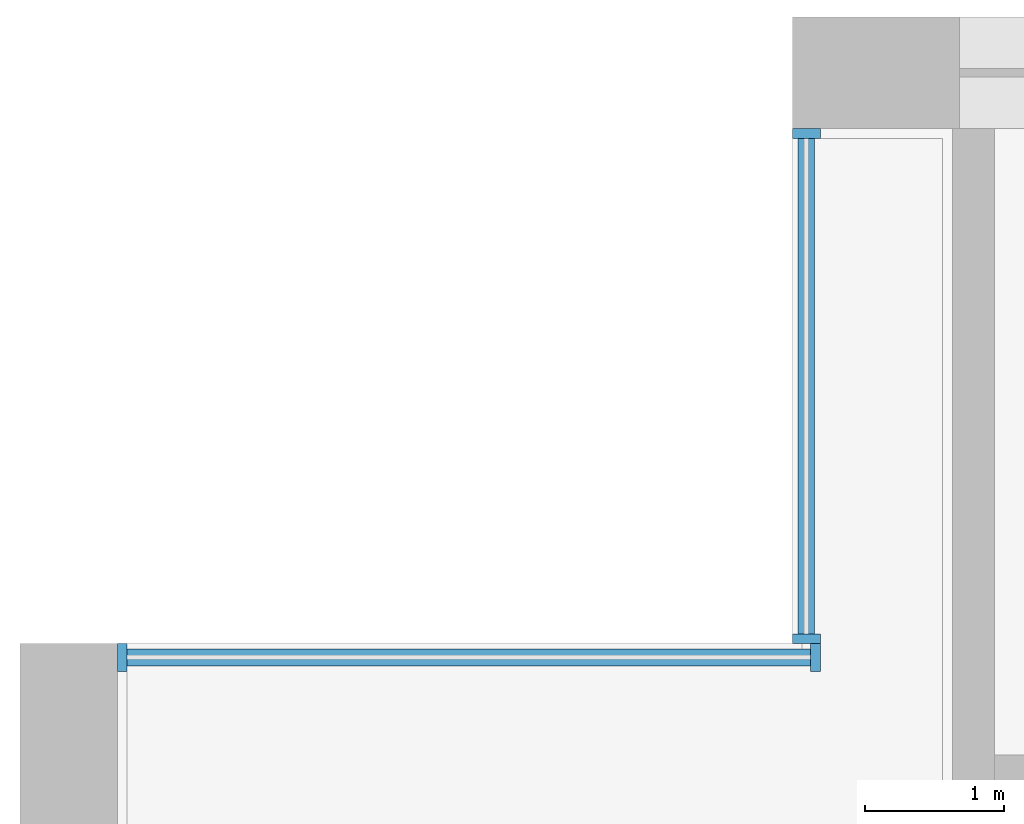
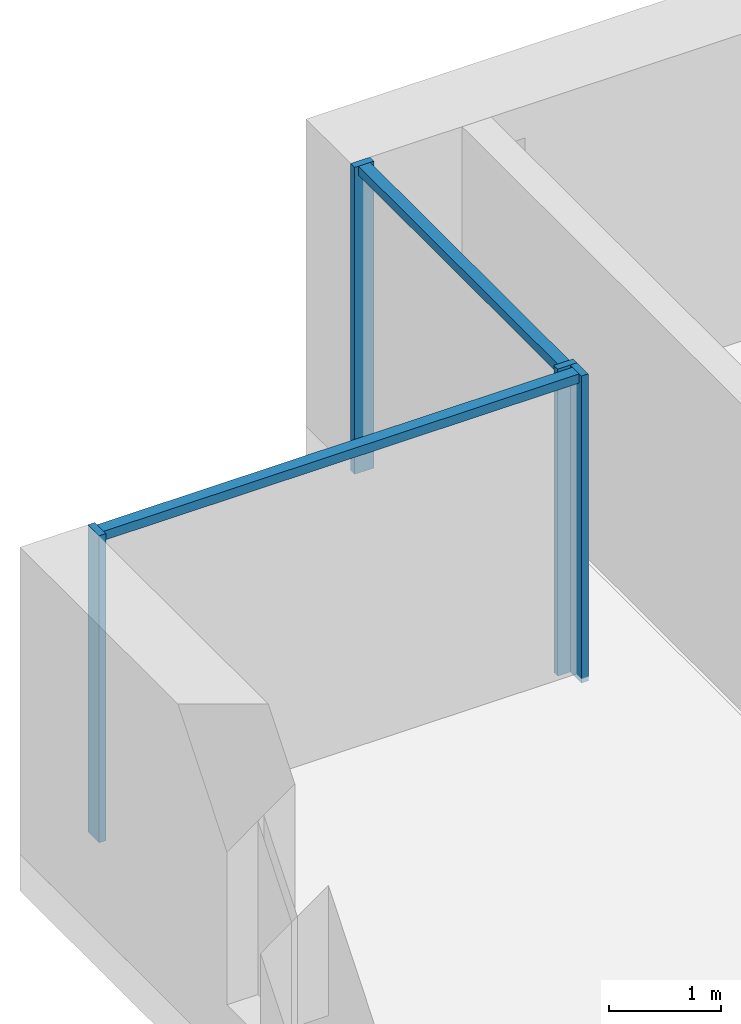
# One storey, part 4 of 15: 6 members, 2 elements without a shape of their own.
"""IFC4 building model written with IfcOpenShell, lengths in metres."""

import ifcopenshell
import ifcopenshell.guid

model = None  # the IFC model being written
_history = None  # IfcOwnerHistory: only IFC2X3 demands one
_inside = {}  # id of a spatial element -> (the spatial element, [elements in it])
_under = {}  # id of a project, library or spatial element -> (it, [spatial elements below it])
_declared = {}  # id of a project -> (the project, [libraries it declares])
_typed = {}  # id of a type object -> (the type object, [elements of that type])
_made_of = {}  # id of a material, layer set ... -> (it, [elements and type objects made of it])


def new_model(schema):
    """Start an empty IFC model of exactly this schema.

    Asked for "IFC4X3", IfcOpenShell would pick the latest addendum, in which some entities
    have other attributes; the version numbers below select the first issue.
    IFC2X3 requires an IfcOwnerHistory on every rooted entity: one is made here for all.
    """
    global model, _history
    if schema == "IFC4X3":
        model = ifcopenshell.file(schema_version=(4, 3, 0, 0))
    else:
        model = ifcopenshell.file(schema=schema)
    _inside.clear()
    _under.clear()
    _declared.clear()
    _typed.clear()
    _made_of.clear()
    _history = None
    if model.schema == "IFC2X3":
        org = make("IfcOrganization", Name="unknown")
        user = make(
            "IfcPersonAndOrganization",
            ThePerson=make("IfcPerson", FamilyName="unknown"),
            TheOrganization=org,
        )
        app = make(
            "IfcApplication",
            ApplicationDeveloper=org,
            Version="unknown",
            ApplicationFullName="unknown",
            ApplicationIdentifier="unknown",
        )
        _history = make(
            "IfcOwnerHistory",
            OwningUser=user,
            OwningApplication=app,
            ChangeAction="ADDED",
            CreationDate=0,
        )
    return model


def make(cls, **values):
    """One entity of the class cls with the attributes given. An attribute that is None is left unset."""
    return model.create_entity(
        cls, **{name: value for name, value in values.items() if value is not None}
    )


def rooted(cls, **values):
    """An entity with a GlobalId (a new one), such as an element, a storey or a relation."""
    return make(cls, GlobalId=ifcopenshell.guid.new(), OwnerHistory=_history, **values)


def si_unit(unit_type, name, prefix=None):
    """IfcSIUnit, for example si_unit("LENGTHUNIT", "METRE", prefix="MILLI")."""
    return make("IfcSIUnit", UnitType=unit_type, Prefix=prefix, Name=name)


def assignment(units):
    """IfcUnitAssignment: the units of a project."""
    return None if units is None else make("IfcUnitAssignment", Units=units)


def point(xyz):
    """IfcCartesianPoint."""
    return None if xyz is None else make("IfcCartesianPoint", Coordinates=xyz)


def direction(xyz):
    """IfcDirection."""
    return None if xyz is None else make("IfcDirection", DirectionRatios=xyz)


def frame(location, z_axis=None, x_axis=None):
    """IfcAxis2Placement3D, a coordinate frame: its origin and axes. An axis left out is left unset."""
    return make(
        "IfcAxis2Placement3D",
        Location=point(location),
        Axis=direction(z_axis),
        RefDirection=direction(x_axis),
    )


def frame_2d(location, x_axis=None):
    """IfcAxis2Placement2D, a coordinate frame in the plane: its origin and x axis."""
    return make(
        "IfcAxis2Placement2D", Location=point(location), RefDirection=direction(x_axis)
    )


def origin():
    """The frame at (0, 0, 0) with its axes left unset."""
    return frame((0.0, 0.0, 0.0))


def origin_2d():
    """The frame at (0, 0) in the plane with its x axis left unset."""
    return frame_2d((0.0, 0.0))


def place(relative_to, where):
    """IfcLocalPlacement: puts the frame where relative to a parent placement (None: the world)."""
    return make(
        "IfcLocalPlacement", PlacementRelTo=relative_to, RelativePlacement=where
    )


def context(
    kind, dimensions, precision=None, world=None, true_north=None, identifier=None
):
    """IfcGeometricRepresentationContext, for example the 3D "Model" context."""
    return make(
        "IfcGeometricRepresentationContext",
        ContextIdentifier=identifier,
        ContextType=kind,
        CoordinateSpaceDimension=dimensions,
        Precision=precision,
        WorldCoordinateSystem=world,
        TrueNorth=true_north,
    )


def subcontext(parent, identifier, kind, view, scale=None):
    """IfcGeometricRepresentationSubContext, for example "Body" below "Model"."""
    return make(
        "IfcGeometricRepresentationSubContext",
        ContextIdentifier=identifier,
        ContextType=kind,
        ParentContext=parent,
        TargetScale=scale,
        TargetView=view,
    )


def project(units=None, contexts=None):
    """IfcProject with its units and contexts."""
    return rooted(
        "IfcProject",
        Name="project",
        RepresentationContexts=contexts,
        UnitsInContext=assignment(units),
    )


def spatial(cls, under=None, at=None, **own):
    """A site, building, storey or space (cls), placed at a placement, below another one or the project."""
    s = rooted(cls, ObjectPlacement=at, **own)
    if under is not None:
        _under.setdefault(under.id(), (under, []))[1].append(s)
    return s


def profile(cls, at=None, kind="AREA", **sizes):
    """A parametric profile (cls). Its sizes go by their IFC names, for example OverallWidth=200.0."""
    return make(cls, ProfileType=kind, Position=at, **sizes)


def rectangle(**sizes):
    """IfcRectangleProfileDef."""
    return profile("IfcRectangleProfileDef", **sizes)


def extrude(swept, where, along, depth):
    """IfcExtrudedAreaSolid: the profile swept, set in the frame where, extruded along a direction by depth."""
    return make(
        "IfcExtrudedAreaSolid",
        SweptArea=swept,
        Position=where,
        ExtrudedDirection=direction(along),
        Depth=depth,
    )


def shape(context_of_items, identifier, shape_type, items):
    """IfcShapeRepresentation: the items that make up one representation, for example the "Body"."""
    return make(
        "IfcShapeRepresentation",
        ContextOfItems=context_of_items,
        RepresentationIdentifier=identifier,
        RepresentationType=shape_type,
        Items=items,
    )


def material(Name=None, Category=None):
    """IfcMaterial."""
    return make("IfcMaterial", Name=Name, Category=Category)


def material_profile(
    of_material, cross_section, Name=None, Category=None, Priority=None
):
    """IfcMaterialProfile: a cross section and its material."""
    return make(
        "IfcMaterialProfile",
        Name=Name,
        Material=of_material,
        Profile=cross_section,
        Priority=Priority,
        Category=Category,
    )


def profile_set(profiles, Name=None, composite=None):
    """IfcMaterialProfileSet."""
    return make(
        "IfcMaterialProfileSet",
        Name=Name,
        MaterialProfiles=profiles,
        CompositeProfile=composite,
    )


def made_of(thing, what):
    """Note that an element or type object is made of a material, layer set ...; save() writes the relation."""
    if what is not None:
        _made_of.setdefault(what.id(), (what, []))[1].append(thing)
    return thing


def type_object(cls, material=None, **own):
    """A type object (cls), such as IfcWallType, which elements share."""
    return made_of(rooted(cls, **own), material)


def element(
    cls,
    number,
    at=None,
    inside=None,
    cuts=None,
    type_object=None,
    material=None,
    context=None,
    identifier="Body",
    shape_type=None,
    held_by="IfcProductDefinitionShape",
    body=None,
    shapes=None,
    **own,
):
    """One element of the class cls, such as IfcWall. Its Tag is "e" and its number.

    at: its placement. inside: the storey or other place that contains it. cuts: it is an
    opening in that element (IfcRelVoidsElement). A single representation is given by context,
    identifier, shape_type and body (its items); several are given by shapes. held_by: the class
    of the entity that holds the representations. save() writes the other relations.
    """
    e = rooted(cls, Tag="e%d" % number, ObjectPlacement=at, **own)
    if body is not None:
        shapes = [shape(context, identifier, shape_type, body)]
    if shapes is not None:
        e.Representation = make(held_by, Representations=shapes)
    if inside is not None:
        _inside.setdefault(inside.id(), (inside, []))[1].append(e)
    if cuts is not None:
        rooted(
            "IfcRelVoidsElement", RelatingBuildingElement=cuts, RelatedOpeningElement=e
        )
    if type_object is not None:
        _typed.setdefault(type_object.id(), (type_object, []))[1].append(e)
    return made_of(e, material)


def aggregate(whole, parts):
    """IfcRelAggregates: a whole, such as a stair, and the parts it consists of."""
    return rooted("IfcRelAggregates", RelatingObject=whole, RelatedObjects=parts)


def save(model, path):
    """Write the relations noted so far, then the file.

    IfcRelAggregates (storeys below a building ...), IfcRelContainedInSpatialStructure (elements
    in a storey), IfcRelDefinesByType, IfcRelAssociatesMaterial and IfcRelDeclares: one each for
    every whole, place, type object, material and project.
    """
    for whole, parts in _under.values():
        aggregate(whole, parts)
    for where, things in _inside.values():
        rooted(
            "IfcRelContainedInSpatialStructure",
            RelatedElements=things,
            RelatingStructure=where,
        )
    for kind, things in _typed.values():
        rooted("IfcRelDefinesByType", RelatedObjects=things, RelatingType=kind)
    for what, things in _made_of.values():
        rooted("IfcRelAssociatesMaterial", RelatedObjects=things, RelatingMaterial=what)
    for by, libraries in _declared.values():
        rooted("IfcRelDeclares", RelatingContext=by, RelatedDefinitions=libraries)
    model.write(path)


model = new_model("IFC4")

# Units and contexts
model_context = context("Model", 3, precision=1e-05, world=origin(), true_north=direction((0.0, 1.0)))
body_context = subcontext(model_context, "Body", "Model", "MODEL_VIEW")
ifc_project = project(units=[si_unit("LENGTHUNIT", "METRE"), si_unit("AREAUNIT", "SQUARE_METRE"), si_unit("VOLUMEUNIT", "CUBIC_METRE"), si_unit("PLANEANGLEUNIT", "RADIAN"), si_unit("MASSUNIT", "GRAM", prefix="KILO")], contexts=[model_context])

# Site, building, storey
site_placement = place(None, origin())
site = spatial("IfcSite", under=ifc_project, at=site_placement, CompositionType="ELEMENT")
building_placement = place(site_placement, origin())
building = spatial("IfcBuilding", under=site, at=building_placement, Name="Calvaro Tower", CompositionType="ELEMENT")
storey_placement = place(building_placement, frame((0.0, 0.0, 147.5)))
storey = spatial("IfcBuildingStorey", under=building, at=storey_placement, Name="L37", CompositionType="ELEMENT", Elevation=147.5)

# Curtain wall, members
ifc_material_1 = material(Name="Anodised aluminium", Category="aluminium")
curtain_wall_type = type_object("IfcCurtainWallType", Name="Office curtain wall, middle zone", PredefinedType="NOTDEFINED", material=ifc_material_1)
curtain_wall_1_placement = place(storey_placement, origin())
curtain_wall_1 = element("IfcCurtainWall", 1, at=curtain_wall_1_placement, inside=storey, type_object=curtain_wall_type, Name="CW2 corner curtain wall", PredefinedType="NOTDEFINED")
ifc_material_2 = material(Name="Anodised aluminium", Category="aluminium")
ifc_material_profile_1 = material_profile(ifc_material_2, rectangle(XDim=0.199951171875, YDim=0.070068359375, at=origin_2d()), Name="Mullion S2 70 x 200")
ifc_profile_set_1 = profile_set([ifc_material_profile_1], Name="Anodised aluminium")
member_type_1 = type_object("IfcMemberType", Name="Mullion S2 70 x 200", PredefinedType="MULLION", material=ifc_profile_set_1)
member_1_placement = place(storey_placement, frame((5.64990234375, 41.534912109375, 0.0), z_axis=(0.0, 0.0, 1.0), x_axis=(-1.0, 0.0, 0.0)))
member_1 = element("IfcMember", 2, at=member_1_placement, type_object=member_type_1, Name="CW2 mullion 1", PredefinedType="MULLION", context=body_context, shape_type="SweptSolid", body=[
    extrude(rectangle(XDim=0.199951171875, YDim=0.070068359375, at=origin_2d()), origin(), (0.0, 0.0, 1.0), 3.35009765625),
])
member_2_placement = place(storey_placement, frame((5.64990234375, 45.1650390625, 0.0), z_axis=(0.0, 0.0, 1.0), x_axis=(-1.0, 0.0, 0.0)))
member_2 = element("IfcMember", 3, at=member_2_placement, type_object=member_type_1, Name="CW2 mullion 2", PredefinedType="MULLION", context=body_context, shape_type="SweptSolid", body=[
    extrude(rectangle(XDim=0.199951171875, YDim=0.070068359375, at=origin_2d()), origin(), (0.0, 0.0, 1.0), 3.35009765625),
])

curtain_wall_2_placement = place(storey_placement, origin())
curtain_wall_2 = element("IfcCurtainWall", 4, at=curtain_wall_2_placement, inside=storey, type_object=curtain_wall_type, Name="CW2 corner curtain wall", PredefinedType="NOTDEFINED")
member_3_placement = place(storey_placement, frame((0.735107421875, 41.39990234375, 0.0), z_axis=(0.0, 0.0, 1.0), x_axis=(0.0, 1.0, 0.0)))
member_3 = element("IfcMember", 5, at=member_3_placement, type_object=member_type_1, Name="CW2 mullion 1", PredefinedType="MULLION", context=body_context, shape_type="SweptSolid", body=[
    extrude(rectangle(XDim=0.199951171875, YDim=0.070068359375, at=origin_2d()), origin(), (0.0, 0.0, 1.0), 3.35009765625),
])
member_4_placement = place(storey_placement, frame((5.715087890625, 41.39990234375, 0.0), z_axis=(0.0, 0.0, 1.0), x_axis=(0.0, 1.0, 0.0)))
member_4 = element("IfcMember", 6, at=member_4_placement, type_object=member_type_1, Name="CW2 mullion 2", PredefinedType="MULLION", context=body_context, shape_type="SweptSolid", body=[
    extrude(rectangle(XDim=0.199951171875, YDim=0.070068359375, at=origin_2d()), origin(), (0.0, 0.0, 1.0), 3.35009765625),
])

# Member
ifc_material_3 = material(Name="Anodised aluminium", Category="aluminium")
ifc_material_profile_2 = material_profile(ifc_material_3, rectangle(XDim=0.1201171875, YDim=0.10009765625, at=origin_2d()), Name="Transom S2 100 x 120")
ifc_profile_set_2 = profile_set([ifc_material_profile_2], Name="Anodised aluminium")
member_type_2 = type_object("IfcMemberType", Name="Transom S2 100 x 120", PredefinedType="USERDEFINED", material=ifc_profile_set_2)
member_5_placement = place(storey_placement, frame((5.64990234375, 41.570068359375, 3.300048828125), z_axis=(0.0, 1.0, 0.0), x_axis=(-1.0, 0.0, 0.0)))
member_5 = element("IfcMember", 7, at=member_5_placement, type_object=member_type_2, Name="CW2 transom 1.1", ObjectType="TRANSOM", PredefinedType="USERDEFINED", context=body_context, shape_type="SweptSolid", body=[
    extrude(rectangle(XDim=0.1201171875, YDim=0.10009765625, at=origin_2d()), origin(), (0.0, 0.0, 1.0), 3.559814453125),
])

aggregate(curtain_wall_1, [member_1, member_2, member_5])

member_6_placement = place(storey_placement, frame((0.77001953125, 41.39990234375, 3.300048828125), z_axis=(1.0, 0.0, 0.0), x_axis=(0.0, 1.0, 0.0)))
member_6 = element("IfcMember", 8, at=member_6_placement, type_object=member_type_2, Name="CW2 transom 1.1", ObjectType="TRANSOM", PredefinedType="USERDEFINED", context=body_context, shape_type="SweptSolid", body=[
    extrude(rectangle(XDim=0.1201171875, YDim=0.10009765625, at=origin_2d()), origin(), (0.0, 0.0, 1.0), 4.909912109375),
])

aggregate(curtain_wall_2, [member_3, member_4, member_6])

save(model, "model.ifc")
